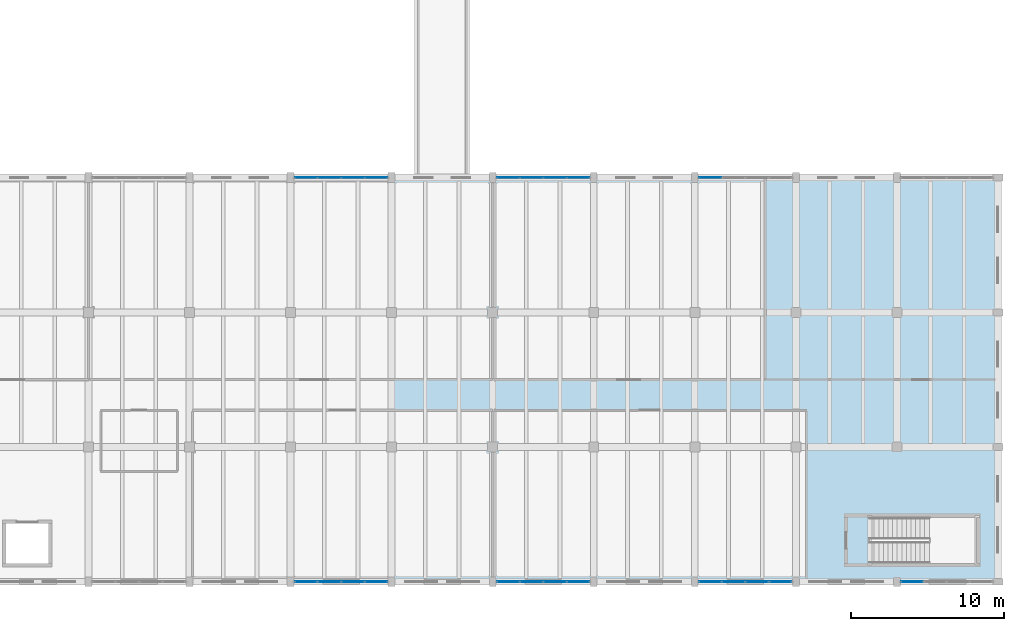
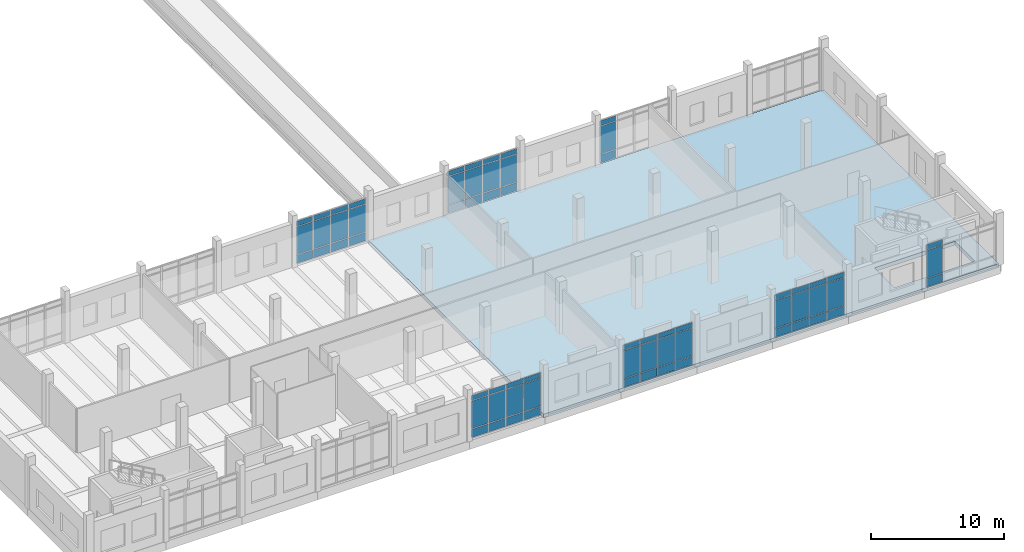
# One storey, part 55 of 101: 66 plates, 1 slab, 7 elements without a shape of their own.
"""IFC4 building model written with IfcOpenShell, lengths in metres."""

from ifc_helpers import new_model, si_unit, direction, frame, origin, origin_2d, place, context, subcontext, project, spatial, polyline, rectangle, outline, extrude, material, layer, layer_set, type_object, element, aggregate, save


model = new_model("IFC4")

# Units and contexts
model_context = context("Model", 3, precision=1e-05, world=origin(), true_north=direction((0.0, 1.0)))
body_context = subcontext(model_context, "Body", "Model", "MODEL_VIEW")
ifc_project = project(units=[si_unit("LENGTHUNIT", "METRE"), si_unit("AREAUNIT", "SQUARE_METRE"), si_unit("VOLUMEUNIT", "CUBIC_METRE"), si_unit("PLANEANGLEUNIT", "RADIAN"), si_unit("MASSUNIT", "GRAM", prefix="KILO")], contexts=[model_context])

# Site, building, storey
site_placement = place(None, origin())
site = spatial("IfcSite", under=ifc_project, at=site_placement, CompositionType="ELEMENT")
building_placement = place(site_placement, origin())
building = spatial("IfcBuilding", under=site, at=building_placement, Name="Dornvale Research Institute", CompositionType="ELEMENT")
storey_placement = place(building_placement, frame((0.0, 0.0, 10.199951171875)))
storey = spatial("IfcBuildingStorey", under=building, at=storey_placement, Name="L02", CompositionType="ELEMENT", Elevation=10.199951171875)

# Curtain wall, plates
ifc_material_1 = material(Name="Low-E Argon Double Insulating Glazing Unit", Category="glass")
curtain_wall_type_1 = type_object("IfcCurtainWallType", Name="UnitisedCurtainWall_V3_6150x4000", PredefinedType="USERDEFINED", material=ifc_material_1)
curtain_wall_1_placement = place(storey_placement, origin())
curtain_wall_1 = element("IfcCurtainWall", 1, at=curtain_wall_1_placement, inside=storey, type_object=curtain_wall_type_1, Name="L02 V3 unitised curtain wall CW-06 #44", ObjectType="UNITISED CURTAIN WALL", PredefinedType="USERDEFINED")
ifc_material_2 = material(Name="Insulated Ceramic-Frit Spandrel Glass Panel", Category="glass")
ifc_layer_1 = layer(ifc_material_2, 0.0419921875)
ifc_layer_set_1 = layer_set([ifc_layer_1], Name="Insulated Ceramic-Frit Spandrel Glass Panel")
plate_type_1 = type_object("IfcPlateType", Name="CurtainPanel_Spandrel_42", PredefinedType="CURTAIN_PANEL", material=ifc_layer_set_1)
plate_1_placement = place(storey_placement, frame((133.010009765625, 26.39990234375, 0.065185546875), z_axis=(0.0, 0.0, 1.0), x_axis=(1.0, 0.0, 0.0)))
plate_1 = element("IfcPlate", 2, at=plate_1_placement, type_object=plate_type_1, Name="CW-06 panel 1.1", PredefinedType="CURTAIN_PANEL", context=body_context, shape_type="SweptSolid", body=[
    extrude(rectangle(XDim=1.43994140625, YDim=0.0419921875, at=origin_2d()), origin(), (0.0, 0.0, 1.0), 0.75244140625),
])
plate_2_placement = place(storey_placement, frame((134.53125, 26.39990234375, 0.065185546875), z_axis=(0.0, 0.0, 1.0), x_axis=(1.0, 0.0, 0.0)))
plate_2 = element("IfcPlate", 3, at=plate_2_placement, type_object=plate_type_1, Name="CW-06 panel 2.1", PredefinedType="CURTAIN_PANEL", context=body_context, shape_type="SweptSolid", body=[
    extrude(rectangle(XDim=1.472412109375, YDim=0.0419921875, at=origin_2d()), origin(), (0.0, 0.0, 1.0), 0.75244140625),
])
plate_3_placement = place(storey_placement, frame((136.06884765625, 26.39990234375, 0.065185546875), z_axis=(0.0, 0.0, 1.0), x_axis=(1.0, 0.0, 0.0)))
plate_3 = element("IfcPlate", 4, at=plate_3_placement, type_object=plate_type_1, Name="CW-06 panel 3.1", PredefinedType="CURTAIN_PANEL", context=body_context, shape_type="SweptSolid", body=[
    extrude(rectangle(XDim=1.472412109375, YDim=0.0419921875, at=origin_2d()), origin(), (0.0, 0.0, 1.0), 0.75244140625),
])
plate_4_placement = place(storey_placement, frame((137.590087890625, 26.39990234375, 0.065185546875), z_axis=(0.0, 0.0, 1.0), x_axis=(1.0, 0.0, 0.0)))
plate_4 = element("IfcPlate", 5, at=plate_4_placement, type_object=plate_type_1, Name="CW-06 panel 4.1", PredefinedType="CURTAIN_PANEL", context=body_context, shape_type="SweptSolid", body=[
    extrude(rectangle(XDim=1.43994140625, YDim=0.0419921875, at=origin_2d()), origin(), (0.0, 0.0, 1.0), 0.75244140625),
])

curtain_wall_2_placement = place(storey_placement, origin())
curtain_wall_2 = element("IfcCurtainWall", 6, at=curtain_wall_2_placement, inside=storey, type_object=curtain_wall_type_1, Name="L02 V3 unitised curtain wall CW-06 #45", ObjectType="UNITISED CURTAIN WALL", PredefinedType="USERDEFINED")
plate_5_placement = place(storey_placement, frame((146.2099609375, 26.39990234375, 0.065185546875), z_axis=(0.0, 0.0, 1.0), x_axis=(1.0, 0.0, 0.0)))
plate_5 = element("IfcPlate", 7, at=plate_5_placement, type_object=plate_type_1, Name="CW-06 panel 1.1", PredefinedType="CURTAIN_PANEL", context=body_context, shape_type="SweptSolid", body=[
    extrude(rectangle(XDim=1.43994140625, YDim=0.0419921875, at=origin_2d()), origin(), (0.0, 0.0, 1.0), 0.75244140625),
])
plate_6_placement = place(storey_placement, frame((147.731201171875, 26.39990234375, 0.065185546875), z_axis=(0.0, 0.0, 1.0), x_axis=(1.0, 0.0, 0.0)))
plate_6 = element("IfcPlate", 8, at=plate_6_placement, type_object=plate_type_1, Name="CW-06 panel 2.1", PredefinedType="CURTAIN_PANEL", context=body_context, shape_type="SweptSolid", body=[
    extrude(rectangle(XDim=1.472412109375, YDim=0.0419921875, at=origin_2d()), origin(), (0.0, 0.0, 1.0), 0.75244140625),
])
plate_7_placement = place(storey_placement, frame((149.268798828125, 26.39990234375, 0.065185546875), z_axis=(0.0, 0.0, 1.0), x_axis=(1.0, 0.0, 0.0)))
plate_7 = element("IfcPlate", 9, at=plate_7_placement, type_object=plate_type_1, Name="CW-06 panel 3.1", PredefinedType="CURTAIN_PANEL", context=body_context, shape_type="SweptSolid", body=[
    extrude(rectangle(XDim=1.472412109375, YDim=0.0419921875, at=origin_2d()), origin(), (0.0, 0.0, 1.0), 0.75244140625),
])
plate_8_placement = place(storey_placement, frame((150.7900390625, 26.39990234375, 0.065185546875), z_axis=(0.0, 0.0, 1.0), x_axis=(1.0, 0.0, 0.0)))
plate_8 = element("IfcPlate", 10, at=plate_8_placement, type_object=plate_type_1, Name="CW-06 panel 4.1", PredefinedType="CURTAIN_PANEL", context=body_context, shape_type="SweptSolid", body=[
    extrude(rectangle(XDim=1.43994140625, YDim=0.0419921875, at=origin_2d()), origin(), (0.0, 0.0, 1.0), 0.75244140625),
])

# Curtain wall, plate
curtain_wall_3_placement = place(storey_placement, origin())
curtain_wall_3 = element("IfcCurtainWall", 11, at=curtain_wall_3_placement, inside=storey, type_object=curtain_wall_type_1, Name="L02 V3 unitised curtain wall CW-06 #46", ObjectType="UNITISED CURTAIN WALL", PredefinedType="USERDEFINED")
plate_9_placement = place(storey_placement, frame((159.409912109375, 26.39990234375, 0.065185546875), z_axis=(0.0, 0.0, 1.0), x_axis=(1.0, 0.0, 0.0)))
plate_9 = element("IfcPlate", 12, at=plate_9_placement, type_object=plate_type_1, Name="CW-06 panel 1.1", PredefinedType="CURTAIN_PANEL", context=body_context, shape_type="SweptSolid", body=[
    extrude(rectangle(XDim=1.43994140625, YDim=0.0419921875, at=origin_2d()), origin(), (0.0, 0.0, 1.0), 0.75244140625),
])

ifc_material_3 = material(Name="Low-E Argon Double Insulating Glazing Unit", Category="glass")
curtain_wall_type_2 = type_object("IfcCurtainWallType", Name="UnitisedCurtainWall_V3_6050x4000", PredefinedType="USERDEFINED", material=ifc_material_3)
curtain_wall_4_placement = place(storey_placement, origin())
curtain_wall_4 = element("IfcCurtainWall", 13, at=curtain_wall_4_placement, inside=storey, type_object=curtain_wall_type_2, Name="L02 V3 unitised curtain wall CW-07 #48", ObjectType="UNITISED CURTAIN WALL", PredefinedType="USERDEFINED")
plate_10_placement = place(storey_placement, frame((172.597412109375, 0.0, 0.065185546875), z_axis=(0.0, 0.0, 1.0), x_axis=(-1.0, 0.0, 0.0)))
plate_10 = element("IfcPlate", 14, at=plate_10_placement, type_object=plate_type_1, Name="CW-07 panel 4.1", PredefinedType="CURTAIN_PANEL", context=body_context, shape_type="SweptSolid", body=[
    extrude(rectangle(XDim=1.4150390625, YDim=0.0419921875, at=origin_2d()), origin(), (0.0, 0.0, 1.0), 0.75244140625),
])

# Curtain wall, plates
curtain_wall_5_placement = place(storey_placement, origin())
curtain_wall_5 = element("IfcCurtainWall", 15, at=curtain_wall_5_placement, inside=storey, type_object=curtain_wall_type_1, Name="L02 V3 unitised curtain wall CW-06 #49", ObjectType="UNITISED CURTAIN WALL", PredefinedType="USERDEFINED")
plate_11_placement = place(storey_placement, frame((163.989990234375, 0.0, 0.065185546875), z_axis=(0.0, 0.0, 1.0), x_axis=(-1.0, 0.0, 0.0)))
plate_11 = element("IfcPlate", 16, at=plate_11_placement, type_object=plate_type_1, Name="CW-06 panel 1.1", PredefinedType="CURTAIN_PANEL", context=body_context, shape_type="SweptSolid", body=[
    extrude(rectangle(XDim=1.43994140625, YDim=0.0419921875, at=origin_2d()), origin(), (0.0, 0.0, 1.0), 0.75244140625),
])
plate_12_placement = place(storey_placement, frame((162.46875, 0.0, 0.065185546875), z_axis=(0.0, 0.0, 1.0), x_axis=(-1.0, 0.0, 0.0)))
plate_12 = element("IfcPlate", 17, at=plate_12_placement, type_object=plate_type_1, Name="CW-06 panel 2.1", PredefinedType="CURTAIN_PANEL", context=body_context, shape_type="SweptSolid", body=[
    extrude(rectangle(XDim=1.472412109375, YDim=0.0419921875, at=origin_2d()), origin(), (0.0, 0.0, 1.0), 0.75244140625),
])
plate_13_placement = place(storey_placement, frame((160.93115234375, 0.0, 0.065185546875), z_axis=(0.0, 0.0, 1.0), x_axis=(-1.0, 0.0, 0.0)))
plate_13 = element("IfcPlate", 18, at=plate_13_placement, type_object=plate_type_1, Name="CW-06 panel 3.1", PredefinedType="CURTAIN_PANEL", context=body_context, shape_type="SweptSolid", body=[
    extrude(rectangle(XDim=1.472412109375, YDim=0.0419921875, at=origin_2d()), origin(), (0.0, 0.0, 1.0), 0.75244140625),
])
plate_14_placement = place(storey_placement, frame((159.409912109375, 0.0, 0.065185546875), z_axis=(0.0, 0.0, 1.0), x_axis=(-1.0, 0.0, 0.0)))
plate_14 = element("IfcPlate", 19, at=plate_14_placement, type_object=plate_type_1, Name="CW-06 panel 4.1", PredefinedType="CURTAIN_PANEL", context=body_context, shape_type="SweptSolid", body=[
    extrude(rectangle(XDim=1.43994140625, YDim=0.0419921875, at=origin_2d()), origin(), (0.0, 0.0, 1.0), 0.75244140625),
])

curtain_wall_6_placement = place(storey_placement, origin())
curtain_wall_6 = element("IfcCurtainWall", 20, at=curtain_wall_6_placement, inside=storey, type_object=curtain_wall_type_1, Name="L02 V3 unitised curtain wall CW-06 #50", ObjectType="UNITISED CURTAIN WALL", PredefinedType="USERDEFINED")
plate_15_placement = place(storey_placement, frame((150.7900390625, 0.0, 0.065185546875), z_axis=(0.0, 0.0, 1.0), x_axis=(-1.0, 0.0, 0.0)))
plate_15 = element("IfcPlate", 21, at=plate_15_placement, type_object=plate_type_1, Name="CW-06 panel 1.1", PredefinedType="CURTAIN_PANEL", context=body_context, shape_type="SweptSolid", body=[
    extrude(rectangle(XDim=1.43994140625, YDim=0.0419921875, at=origin_2d()), origin(), (0.0, 0.0, 1.0), 0.75244140625),
])
plate_16_placement = place(storey_placement, frame((149.268798828125, 0.0, 0.065185546875), z_axis=(0.0, 0.0, 1.0), x_axis=(-1.0, 0.0, 0.0)))
plate_16 = element("IfcPlate", 22, at=plate_16_placement, type_object=plate_type_1, Name="CW-06 panel 2.1", PredefinedType="CURTAIN_PANEL", context=body_context, shape_type="SweptSolid", body=[
    extrude(rectangle(XDim=1.472412109375, YDim=0.0419921875, at=origin_2d()), origin(), (0.0, 0.0, 1.0), 0.75244140625),
])
plate_17_placement = place(storey_placement, frame((147.731201171875, 0.0, 0.065185546875), z_axis=(0.0, 0.0, 1.0), x_axis=(-1.0, 0.0, 0.0)))
plate_17 = element("IfcPlate", 23, at=plate_17_placement, type_object=plate_type_1, Name="CW-06 panel 3.1", PredefinedType="CURTAIN_PANEL", context=body_context, shape_type="SweptSolid", body=[
    extrude(rectangle(XDim=1.472412109375, YDim=0.0419921875, at=origin_2d()), origin(), (0.0, 0.0, 1.0), 0.75244140625),
])
plate_18_placement = place(storey_placement, frame((146.2099609375, 0.0, 0.065185546875), z_axis=(0.0, 0.0, 1.0), x_axis=(-1.0, 0.0, 0.0)))
plate_18 = element("IfcPlate", 24, at=plate_18_placement, type_object=plate_type_1, Name="CW-06 panel 4.1", PredefinedType="CURTAIN_PANEL", context=body_context, shape_type="SweptSolid", body=[
    extrude(rectangle(XDim=1.43994140625, YDim=0.0419921875, at=origin_2d()), origin(), (0.0, 0.0, 1.0), 0.75244140625),
])

curtain_wall_7_placement = place(storey_placement, origin())
curtain_wall_7 = element("IfcCurtainWall", 25, at=curtain_wall_7_placement, inside=storey, type_object=curtain_wall_type_1, Name="L02 V3 unitised curtain wall CW-06 #51", ObjectType="UNITISED CURTAIN WALL", PredefinedType="USERDEFINED")
plate_19_placement = place(storey_placement, frame((137.590087890625, 0.0, 0.065185546875), z_axis=(0.0, 0.0, 1.0), x_axis=(-1.0, 0.0, 0.0)))
plate_19 = element("IfcPlate", 26, at=plate_19_placement, type_object=plate_type_1, Name="CW-06 panel 1.1", PredefinedType="CURTAIN_PANEL", context=body_context, shape_type="SweptSolid", body=[
    extrude(rectangle(XDim=1.43994140625, YDim=0.0419921875, at=origin_2d()), origin(), (0.0, 0.0, 1.0), 0.75244140625),
])
plate_20_placement = place(storey_placement, frame((136.06884765625, 0.0, 0.065185546875), z_axis=(0.0, 0.0, 1.0), x_axis=(-1.0, 0.0, 0.0)))
plate_20 = element("IfcPlate", 27, at=plate_20_placement, type_object=plate_type_1, Name="CW-06 panel 2.1", PredefinedType="CURTAIN_PANEL", context=body_context, shape_type="SweptSolid", body=[
    extrude(rectangle(XDim=1.472412109375, YDim=0.0419921875, at=origin_2d()), origin(), (0.0, 0.0, 1.0), 0.75244140625),
])
plate_21_placement = place(storey_placement, frame((134.53125, 0.0, 0.065185546875), z_axis=(0.0, 0.0, 1.0), x_axis=(-1.0, 0.0, 0.0)))
plate_21 = element("IfcPlate", 28, at=plate_21_placement, type_object=plate_type_1, Name="CW-06 panel 3.1", PredefinedType="CURTAIN_PANEL", context=body_context, shape_type="SweptSolid", body=[
    extrude(rectangle(XDim=1.472412109375, YDim=0.0419921875, at=origin_2d()), origin(), (0.0, 0.0, 1.0), 0.75244140625),
])
plate_22_placement = place(storey_placement, frame((133.010009765625, 0.0, 0.065185546875), z_axis=(0.0, 0.0, 1.0), x_axis=(-1.0, 0.0, 0.0)))
plate_22 = element("IfcPlate", 29, at=plate_22_placement, type_object=plate_type_1, Name="CW-06 panel 4.1", PredefinedType="CURTAIN_PANEL", context=body_context, shape_type="SweptSolid", body=[
    extrude(rectangle(XDim=1.43994140625, YDim=0.0419921875, at=origin_2d()), origin(), (0.0, 0.0, 1.0), 0.75244140625),
])

# Plate
ifc_material_4 = material(Name="Low-E Argon Double Insulating Glazing Unit", Category="glass")
ifc_layer_2 = layer(ifc_material_4, 0.028076171875)
ifc_layer_set_2 = layer_set([ifc_layer_2], Name="Low-E Argon Double Insulating Glazing Unit")
plate_type_2 = type_object("IfcPlateType", Name="CurtainPanel_Vision_28", PredefinedType="CURTAIN_PANEL", material=ifc_layer_set_2)
plate_23_placement = place(storey_placement, frame((133.010009765625, 26.39990234375, 0.8828125), z_axis=(0.0, 0.0, 1.0), x_axis=(1.0, 0.0, 0.0)))
plate_23 = element("IfcPlate", 30, at=plate_23_placement, type_object=plate_type_2, Name="CW-06 panel 1.2", PredefinedType="CURTAIN_PANEL", context=body_context, shape_type="SweptSolid", body=[
    extrude(rectangle(XDim=1.43994140625, YDim=0.028076171875, at=origin_2d()), origin(), (0.0, 0.0, 1.0), 2.534912109375),
])

plate_24_placement = place(storey_placement, frame((133.010009765625, 26.39990234375, 3.482421875), z_axis=(0.0, 0.0, 1.0), x_axis=(1.0, 0.0, 0.0)))
plate_24 = element("IfcPlate", 31, at=plate_24_placement, type_object=plate_type_2, Name="CW-06 panel 1.3", PredefinedType="CURTAIN_PANEL", context=body_context, shape_type="SweptSolid", body=[
    extrude(rectangle(XDim=1.43994140625, YDim=0.028076171875, at=origin_2d()), origin(), (0.0, 0.0, 1.0), 0.452392578125),
])

plate_25_placement = place(storey_placement, frame((134.53125, 26.39990234375, 0.8828125), z_axis=(0.0, 0.0, 1.0), x_axis=(1.0, 0.0, 0.0)))
plate_25 = element("IfcPlate", 32, at=plate_25_placement, type_object=plate_type_2, Name="CW-06 panel 2.2", PredefinedType="CURTAIN_PANEL", context=body_context, shape_type="SweptSolid", body=[
    extrude(rectangle(XDim=1.472412109375, YDim=0.028076171875, at=origin_2d()), origin(), (0.0, 0.0, 1.0), 2.534912109375),
])

plate_26_placement = place(storey_placement, frame((134.53125, 26.39990234375, 3.482421875), z_axis=(0.0, 0.0, 1.0), x_axis=(1.0, 0.0, 0.0)))
plate_26 = element("IfcPlate", 33, at=plate_26_placement, type_object=plate_type_2, Name="CW-06 panel 2.3", PredefinedType="CURTAIN_PANEL", context=body_context, shape_type="SweptSolid", body=[
    extrude(rectangle(XDim=1.472412109375, YDim=0.028076171875, at=origin_2d()), origin(), (0.0, 0.0, 1.0), 0.452392578125),
])

plate_27_placement = place(storey_placement, frame((136.06884765625, 26.39990234375, 0.8828125), z_axis=(0.0, 0.0, 1.0), x_axis=(1.0, 0.0, 0.0)))
plate_27 = element("IfcPlate", 34, at=plate_27_placement, type_object=plate_type_2, Name="CW-06 panel 3.2", PredefinedType="CURTAIN_PANEL", context=body_context, shape_type="SweptSolid", body=[
    extrude(rectangle(XDim=1.472412109375, YDim=0.028076171875, at=origin_2d()), origin(), (0.0, 0.0, 1.0), 2.534912109375),
])

plate_28_placement = place(storey_placement, frame((136.06884765625, 26.39990234375, 3.482421875), z_axis=(0.0, 0.0, 1.0), x_axis=(1.0, 0.0, 0.0)))
plate_28 = element("IfcPlate", 35, at=plate_28_placement, type_object=plate_type_2, Name="CW-06 panel 3.3", PredefinedType="CURTAIN_PANEL", context=body_context, shape_type="SweptSolid", body=[
    extrude(rectangle(XDim=1.472412109375, YDim=0.028076171875, at=origin_2d()), origin(), (0.0, 0.0, 1.0), 0.452392578125),
])

plate_29_placement = place(storey_placement, frame((137.590087890625, 26.39990234375, 0.8828125), z_axis=(0.0, 0.0, 1.0), x_axis=(1.0, 0.0, 0.0)))
plate_29 = element("IfcPlate", 36, at=plate_29_placement, type_object=plate_type_2, Name="CW-06 panel 4.2", PredefinedType="CURTAIN_PANEL", context=body_context, shape_type="SweptSolid", body=[
    extrude(rectangle(XDim=1.43994140625, YDim=0.028076171875, at=origin_2d()), origin(), (0.0, 0.0, 1.0), 2.534912109375),
])

plate_30_placement = place(storey_placement, frame((137.590087890625, 26.39990234375, 3.482421875), z_axis=(0.0, 0.0, 1.0), x_axis=(1.0, 0.0, 0.0)))
plate_30 = element("IfcPlate", 37, at=plate_30_placement, type_object=plate_type_2, Name="CW-06 panel 4.3", PredefinedType="CURTAIN_PANEL", context=body_context, shape_type="SweptSolid", body=[
    extrude(rectangle(XDim=1.43994140625, YDim=0.028076171875, at=origin_2d()), origin(), (0.0, 0.0, 1.0), 0.452392578125),
])

aggregate(curtain_wall_1, [plate_1, plate_23, plate_24, plate_2, plate_25, plate_26, plate_3, plate_27, plate_28, plate_4, plate_29, plate_30])

plate_31_placement = place(storey_placement, frame((146.2099609375, 26.39990234375, 0.8828125), z_axis=(0.0, 0.0, 1.0), x_axis=(1.0, 0.0, 0.0)))
plate_31 = element("IfcPlate", 38, at=plate_31_placement, type_object=plate_type_2, Name="CW-06 panel 1.2", PredefinedType="CURTAIN_PANEL", context=body_context, shape_type="SweptSolid", body=[
    extrude(rectangle(XDim=1.43994140625, YDim=0.028076171875, at=origin_2d()), origin(), (0.0, 0.0, 1.0), 2.534912109375),
])

plate_32_placement = place(storey_placement, frame((146.2099609375, 26.39990234375, 3.482421875), z_axis=(0.0, 0.0, 1.0), x_axis=(1.0, 0.0, 0.0)))
plate_32 = element("IfcPlate", 39, at=plate_32_placement, type_object=plate_type_2, Name="CW-06 panel 1.3", PredefinedType="CURTAIN_PANEL", context=body_context, shape_type="SweptSolid", body=[
    extrude(rectangle(XDim=1.43994140625, YDim=0.028076171875, at=origin_2d()), origin(), (0.0, 0.0, 1.0), 0.452392578125),
])

plate_33_placement = place(storey_placement, frame((147.731201171875, 26.39990234375, 0.8828125), z_axis=(0.0, 0.0, 1.0), x_axis=(1.0, 0.0, 0.0)))
plate_33 = element("IfcPlate", 40, at=plate_33_placement, type_object=plate_type_2, Name="CW-06 panel 2.2", PredefinedType="CURTAIN_PANEL", context=body_context, shape_type="SweptSolid", body=[
    extrude(rectangle(XDim=1.472412109375, YDim=0.028076171875, at=origin_2d()), origin(), (0.0, 0.0, 1.0), 2.534912109375),
])

plate_34_placement = place(storey_placement, frame((147.731201171875, 26.39990234375, 3.482421875), z_axis=(0.0, 0.0, 1.0), x_axis=(1.0, 0.0, 0.0)))
plate_34 = element("IfcPlate", 41, at=plate_34_placement, type_object=plate_type_2, Name="CW-06 panel 2.3", PredefinedType="CURTAIN_PANEL", context=body_context, shape_type="SweptSolid", body=[
    extrude(rectangle(XDim=1.472412109375, YDim=0.028076171875, at=origin_2d()), origin(), (0.0, 0.0, 1.0), 0.452392578125),
])

plate_35_placement = place(storey_placement, frame((149.268798828125, 26.39990234375, 0.8828125), z_axis=(0.0, 0.0, 1.0), x_axis=(1.0, 0.0, 0.0)))
plate_35 = element("IfcPlate", 42, at=plate_35_placement, type_object=plate_type_2, Name="CW-06 panel 3.2", PredefinedType="CURTAIN_PANEL", context=body_context, shape_type="SweptSolid", body=[
    extrude(rectangle(XDim=1.472412109375, YDim=0.028076171875, at=origin_2d()), origin(), (0.0, 0.0, 1.0), 2.534912109375),
])

plate_36_placement = place(storey_placement, frame((149.268798828125, 26.39990234375, 3.482421875), z_axis=(0.0, 0.0, 1.0), x_axis=(1.0, 0.0, 0.0)))
plate_36 = element("IfcPlate", 43, at=plate_36_placement, type_object=plate_type_2, Name="CW-06 panel 3.3", PredefinedType="CURTAIN_PANEL", context=body_context, shape_type="SweptSolid", body=[
    extrude(rectangle(XDim=1.472412109375, YDim=0.028076171875, at=origin_2d()), origin(), (0.0, 0.0, 1.0), 0.452392578125),
])

plate_37_placement = place(storey_placement, frame((150.7900390625, 26.39990234375, 0.8828125), z_axis=(0.0, 0.0, 1.0), x_axis=(1.0, 0.0, 0.0)))
plate_37 = element("IfcPlate", 44, at=plate_37_placement, type_object=plate_type_2, Name="CW-06 panel 4.2", PredefinedType="CURTAIN_PANEL", context=body_context, shape_type="SweptSolid", body=[
    extrude(rectangle(XDim=1.43994140625, YDim=0.028076171875, at=origin_2d()), origin(), (0.0, 0.0, 1.0), 2.534912109375),
])

plate_38_placement = place(storey_placement, frame((150.7900390625, 26.39990234375, 3.482421875), z_axis=(0.0, 0.0, 1.0), x_axis=(1.0, 0.0, 0.0)))
plate_38 = element("IfcPlate", 45, at=plate_38_placement, type_object=plate_type_2, Name="CW-06 panel 4.3", PredefinedType="CURTAIN_PANEL", context=body_context, shape_type="SweptSolid", body=[
    extrude(rectangle(XDim=1.43994140625, YDim=0.028076171875, at=origin_2d()), origin(), (0.0, 0.0, 1.0), 0.452392578125),
])

aggregate(curtain_wall_2, [plate_5, plate_31, plate_32, plate_6, plate_33, plate_34, plate_7, plate_35, plate_36, plate_8, plate_37, plate_38])

plate_39_placement = place(storey_placement, frame((159.409912109375, 26.39990234375, 0.8828125), z_axis=(0.0, 0.0, 1.0), x_axis=(1.0, 0.0, 0.0)))
plate_39 = element("IfcPlate", 46, at=plate_39_placement, type_object=plate_type_2, Name="CW-06 panel 1.2", PredefinedType="CURTAIN_PANEL", context=body_context, shape_type="SweptSolid", body=[
    extrude(rectangle(XDim=1.43994140625, YDim=0.028076171875, at=origin_2d()), origin(), (0.0, 0.0, 1.0), 2.534912109375),
])

plate_40_placement = place(storey_placement, frame((159.409912109375, 26.39990234375, 3.482421875), z_axis=(0.0, 0.0, 1.0), x_axis=(1.0, 0.0, 0.0)))
plate_40 = element("IfcPlate", 47, at=plate_40_placement, type_object=plate_type_2, Name="CW-06 panel 1.3", PredefinedType="CURTAIN_PANEL", context=body_context, shape_type="SweptSolid", body=[
    extrude(rectangle(XDim=1.43994140625, YDim=0.028076171875, at=origin_2d()), origin(), (0.0, 0.0, 1.0), 0.452392578125),
])

aggregate(curtain_wall_3, [plate_9, plate_39, plate_40])

plate_41_placement = place(storey_placement, frame((172.597412109375, 0.0, 0.8828125), z_axis=(0.0, 0.0, 1.0), x_axis=(-1.0, 0.0, 0.0)))
plate_41 = element("IfcPlate", 48, at=plate_41_placement, type_object=plate_type_2, Name="CW-07 panel 4.2", PredefinedType="CURTAIN_PANEL", context=body_context, shape_type="SweptSolid", body=[
    extrude(rectangle(XDim=1.4150390625, YDim=0.028076171875, at=origin_2d()), origin(), (0.0, 0.0, 1.0), 2.534912109375),
])

plate_42_placement = place(storey_placement, frame((172.597412109375, 0.0, 3.482421875), z_axis=(0.0, 0.0, 1.0), x_axis=(-1.0, 0.0, 0.0)))
plate_42 = element("IfcPlate", 49, at=plate_42_placement, type_object=plate_type_2, Name="CW-07 panel 4.3", PredefinedType="CURTAIN_PANEL", context=body_context, shape_type="SweptSolid", body=[
    extrude(rectangle(XDim=1.4150390625, YDim=0.028076171875, at=origin_2d()), origin(), (0.0, 0.0, 1.0), 0.452392578125),
])

aggregate(curtain_wall_4, [plate_10, plate_41, plate_42])

plate_43_placement = place(storey_placement, frame((163.989990234375, 0.0, 0.8828125), z_axis=(0.0, 0.0, 1.0), x_axis=(-1.0, 0.0, 0.0)))
plate_43 = element("IfcPlate", 50, at=plate_43_placement, type_object=plate_type_2, Name="CW-06 panel 1.2", PredefinedType="CURTAIN_PANEL", context=body_context, shape_type="SweptSolid", body=[
    extrude(rectangle(XDim=1.43994140625, YDim=0.028076171875, at=origin_2d()), origin(), (0.0, 0.0, 1.0), 2.534912109375),
])

plate_44_placement = place(storey_placement, frame((163.989990234375, 0.0, 3.482421875), z_axis=(0.0, 0.0, 1.0), x_axis=(-1.0, 0.0, 0.0)))
plate_44 = element("IfcPlate", 51, at=plate_44_placement, type_object=plate_type_2, Name="CW-06 panel 1.3", PredefinedType="CURTAIN_PANEL", context=body_context, shape_type="SweptSolid", body=[
    extrude(rectangle(XDim=1.43994140625, YDim=0.028076171875, at=origin_2d()), origin(), (0.0, 0.0, 1.0), 0.452392578125),
])

plate_45_placement = place(storey_placement, frame((162.46875, 0.0, 0.8828125), z_axis=(0.0, 0.0, 1.0), x_axis=(-1.0, 0.0, 0.0)))
plate_45 = element("IfcPlate", 52, at=plate_45_placement, type_object=plate_type_2, Name="CW-06 panel 2.2", PredefinedType="CURTAIN_PANEL", context=body_context, shape_type="SweptSolid", body=[
    extrude(rectangle(XDim=1.472412109375, YDim=0.028076171875, at=origin_2d()), origin(), (0.0, 0.0, 1.0), 2.534912109375),
])

plate_46_placement = place(storey_placement, frame((162.46875, 0.0, 3.482421875), z_axis=(0.0, 0.0, 1.0), x_axis=(-1.0, 0.0, 0.0)))
plate_46 = element("IfcPlate", 53, at=plate_46_placement, type_object=plate_type_2, Name="CW-06 panel 2.3", PredefinedType="CURTAIN_PANEL", context=body_context, shape_type="SweptSolid", body=[
    extrude(rectangle(XDim=1.472412109375, YDim=0.028076171875, at=origin_2d()), origin(), (0.0, 0.0, 1.0), 0.452392578125),
])

plate_47_placement = place(storey_placement, frame((160.93115234375, 0.0, 0.8828125), z_axis=(0.0, 0.0, 1.0), x_axis=(-1.0, 0.0, 0.0)))
plate_47 = element("IfcPlate", 54, at=plate_47_placement, type_object=plate_type_2, Name="CW-06 panel 3.2", PredefinedType="CURTAIN_PANEL", context=body_context, shape_type="SweptSolid", body=[
    extrude(rectangle(XDim=1.472412109375, YDim=0.028076171875, at=origin_2d()), origin(), (0.0, 0.0, 1.0), 2.534912109375),
])

plate_48_placement = place(storey_placement, frame((160.93115234375, 0.0, 3.482421875), z_axis=(0.0, 0.0, 1.0), x_axis=(-1.0, 0.0, 0.0)))
plate_48 = element("IfcPlate", 55, at=plate_48_placement, type_object=plate_type_2, Name="CW-06 panel 3.3", PredefinedType="CURTAIN_PANEL", context=body_context, shape_type="SweptSolid", body=[
    extrude(rectangle(XDim=1.472412109375, YDim=0.028076171875, at=origin_2d()), origin(), (0.0, 0.0, 1.0), 0.452392578125),
])

plate_49_placement = place(storey_placement, frame((159.409912109375, 0.0, 0.8828125), z_axis=(0.0, 0.0, 1.0), x_axis=(-1.0, 0.0, 0.0)))
plate_49 = element("IfcPlate", 56, at=plate_49_placement, type_object=plate_type_2, Name="CW-06 panel 4.2", PredefinedType="CURTAIN_PANEL", context=body_context, shape_type="SweptSolid", body=[
    extrude(rectangle(XDim=1.43994140625, YDim=0.028076171875, at=origin_2d()), origin(), (0.0, 0.0, 1.0), 2.534912109375),
])

plate_50_placement = place(storey_placement, frame((159.409912109375, 0.0, 3.482421875), z_axis=(0.0, 0.0, 1.0), x_axis=(-1.0, 0.0, 0.0)))
plate_50 = element("IfcPlate", 57, at=plate_50_placement, type_object=plate_type_2, Name="CW-06 panel 4.3", PredefinedType="CURTAIN_PANEL", context=body_context, shape_type="SweptSolid", body=[
    extrude(rectangle(XDim=1.43994140625, YDim=0.028076171875, at=origin_2d()), origin(), (0.0, 0.0, 1.0), 0.452392578125),
])

aggregate(curtain_wall_5, [plate_11, plate_43, plate_44, plate_12, plate_45, plate_46, plate_13, plate_47, plate_48, plate_14, plate_49, plate_50])

plate_51_placement = place(storey_placement, frame((150.7900390625, 0.0, 0.8828125), z_axis=(0.0, 0.0, 1.0), x_axis=(-1.0, 0.0, 0.0)))
plate_51 = element("IfcPlate", 58, at=plate_51_placement, type_object=plate_type_2, Name="CW-06 panel 1.2", PredefinedType="CURTAIN_PANEL", context=body_context, shape_type="SweptSolid", body=[
    extrude(rectangle(XDim=1.43994140625, YDim=0.028076171875, at=origin_2d()), origin(), (0.0, 0.0, 1.0), 2.534912109375),
])

plate_52_placement = place(storey_placement, frame((150.7900390625, 0.0, 3.482421875), z_axis=(0.0, 0.0, 1.0), x_axis=(-1.0, 0.0, 0.0)))
plate_52 = element("IfcPlate", 59, at=plate_52_placement, type_object=plate_type_2, Name="CW-06 panel 1.3", PredefinedType="CURTAIN_PANEL", context=body_context, shape_type="SweptSolid", body=[
    extrude(rectangle(XDim=1.43994140625, YDim=0.028076171875, at=origin_2d()), origin(), (0.0, 0.0, 1.0), 0.452392578125),
])

plate_53_placement = place(storey_placement, frame((149.268798828125, 0.0, 0.8828125), z_axis=(0.0, 0.0, 1.0), x_axis=(-1.0, 0.0, 0.0)))
plate_53 = element("IfcPlate", 60, at=plate_53_placement, type_object=plate_type_2, Name="CW-06 panel 2.2", PredefinedType="CURTAIN_PANEL", context=body_context, shape_type="SweptSolid", body=[
    extrude(rectangle(XDim=1.472412109375, YDim=0.028076171875, at=origin_2d()), origin(), (0.0, 0.0, 1.0), 2.534912109375),
])

plate_54_placement = place(storey_placement, frame((149.268798828125, 0.0, 3.482421875), z_axis=(0.0, 0.0, 1.0), x_axis=(-1.0, 0.0, 0.0)))
plate_54 = element("IfcPlate", 61, at=plate_54_placement, type_object=plate_type_2, Name="CW-06 panel 2.3", PredefinedType="CURTAIN_PANEL", context=body_context, shape_type="SweptSolid", body=[
    extrude(rectangle(XDim=1.472412109375, YDim=0.028076171875, at=origin_2d()), origin(), (0.0, 0.0, 1.0), 0.452392578125),
])

plate_55_placement = place(storey_placement, frame((147.731201171875, 0.0, 0.8828125), z_axis=(0.0, 0.0, 1.0), x_axis=(-1.0, 0.0, 0.0)))
plate_55 = element("IfcPlate", 62, at=plate_55_placement, type_object=plate_type_2, Name="CW-06 panel 3.2", PredefinedType="CURTAIN_PANEL", context=body_context, shape_type="SweptSolid", body=[
    extrude(rectangle(XDim=1.472412109375, YDim=0.028076171875, at=origin_2d()), origin(), (0.0, 0.0, 1.0), 2.534912109375),
])

plate_56_placement = place(storey_placement, frame((147.731201171875, 0.0, 3.482421875), z_axis=(0.0, 0.0, 1.0), x_axis=(-1.0, 0.0, 0.0)))
plate_56 = element("IfcPlate", 63, at=plate_56_placement, type_object=plate_type_2, Name="CW-06 panel 3.3", PredefinedType="CURTAIN_PANEL", context=body_context, shape_type="SweptSolid", body=[
    extrude(rectangle(XDim=1.472412109375, YDim=0.028076171875, at=origin_2d()), origin(), (0.0, 0.0, 1.0), 0.452392578125),
])

plate_57_placement = place(storey_placement, frame((146.2099609375, 0.0, 0.8828125), z_axis=(0.0, 0.0, 1.0), x_axis=(-1.0, 0.0, 0.0)))
plate_57 = element("IfcPlate", 64, at=plate_57_placement, type_object=plate_type_2, Name="CW-06 panel 4.2", PredefinedType="CURTAIN_PANEL", context=body_context, shape_type="SweptSolid", body=[
    extrude(rectangle(XDim=1.43994140625, YDim=0.028076171875, at=origin_2d()), origin(), (0.0, 0.0, 1.0), 2.534912109375),
])

plate_58_placement = place(storey_placement, frame((146.2099609375, 0.0, 3.482421875), z_axis=(0.0, 0.0, 1.0), x_axis=(-1.0, 0.0, 0.0)))
plate_58 = element("IfcPlate", 65, at=plate_58_placement, type_object=plate_type_2, Name="CW-06 panel 4.3", PredefinedType="CURTAIN_PANEL", context=body_context, shape_type="SweptSolid", body=[
    extrude(rectangle(XDim=1.43994140625, YDim=0.028076171875, at=origin_2d()), origin(), (0.0, 0.0, 1.0), 0.452392578125),
])

aggregate(curtain_wall_6, [plate_15, plate_51, plate_52, plate_16, plate_53, plate_54, plate_17, plate_55, plate_56, plate_18, plate_57, plate_58])

plate_59_placement = place(storey_placement, frame((137.590087890625, 0.0, 0.8828125), z_axis=(0.0, 0.0, 1.0), x_axis=(-1.0, 0.0, 0.0)))
plate_59 = element("IfcPlate", 66, at=plate_59_placement, type_object=plate_type_2, Name="CW-06 panel 1.2", PredefinedType="CURTAIN_PANEL", context=body_context, shape_type="SweptSolid", body=[
    extrude(rectangle(XDim=1.43994140625, YDim=0.028076171875, at=origin_2d()), origin(), (0.0, 0.0, 1.0), 2.534912109375),
])

plate_60_placement = place(storey_placement, frame((137.590087890625, 0.0, 3.482421875), z_axis=(0.0, 0.0, 1.0), x_axis=(-1.0, 0.0, 0.0)))
plate_60 = element("IfcPlate", 67, at=plate_60_placement, type_object=plate_type_2, Name="CW-06 panel 1.3", PredefinedType="CURTAIN_PANEL", context=body_context, shape_type="SweptSolid", body=[
    extrude(rectangle(XDim=1.43994140625, YDim=0.028076171875, at=origin_2d()), origin(), (0.0, 0.0, 1.0), 0.452392578125),
])

plate_61_placement = place(storey_placement, frame((136.06884765625, 0.0, 0.8828125), z_axis=(0.0, 0.0, 1.0), x_axis=(-1.0, 0.0, 0.0)))
plate_61 = element("IfcPlate", 68, at=plate_61_placement, type_object=plate_type_2, Name="CW-06 panel 2.2", PredefinedType="CURTAIN_PANEL", context=body_context, shape_type="SweptSolid", body=[
    extrude(rectangle(XDim=1.472412109375, YDim=0.028076171875, at=origin_2d()), origin(), (0.0, 0.0, 1.0), 2.534912109375),
])

plate_62_placement = place(storey_placement, frame((136.06884765625, 0.0, 3.482421875), z_axis=(0.0, 0.0, 1.0), x_axis=(-1.0, 0.0, 0.0)))
plate_62 = element("IfcPlate", 69, at=plate_62_placement, type_object=plate_type_2, Name="CW-06 panel 2.3", PredefinedType="CURTAIN_PANEL", context=body_context, shape_type="SweptSolid", body=[
    extrude(rectangle(XDim=1.472412109375, YDim=0.028076171875, at=origin_2d()), origin(), (0.0, 0.0, 1.0), 0.452392578125),
])

plate_63_placement = place(storey_placement, frame((134.53125, 0.0, 0.8828125), z_axis=(0.0, 0.0, 1.0), x_axis=(-1.0, 0.0, 0.0)))
plate_63 = element("IfcPlate", 70, at=plate_63_placement, type_object=plate_type_2, Name="CW-06 panel 3.2", PredefinedType="CURTAIN_PANEL", context=body_context, shape_type="SweptSolid", body=[
    extrude(rectangle(XDim=1.472412109375, YDim=0.028076171875, at=origin_2d()), origin(), (0.0, 0.0, 1.0), 2.534912109375),
])

plate_64_placement = place(storey_placement, frame((134.53125, 0.0, 3.482421875), z_axis=(0.0, 0.0, 1.0), x_axis=(-1.0, 0.0, 0.0)))
plate_64 = element("IfcPlate", 71, at=plate_64_placement, type_object=plate_type_2, Name="CW-06 panel 3.3", PredefinedType="CURTAIN_PANEL", context=body_context, shape_type="SweptSolid", body=[
    extrude(rectangle(XDim=1.472412109375, YDim=0.028076171875, at=origin_2d()), origin(), (0.0, 0.0, 1.0), 0.452392578125),
])

plate_65_placement = place(storey_placement, frame((133.010009765625, 0.0, 0.8828125), z_axis=(0.0, 0.0, 1.0), x_axis=(-1.0, 0.0, 0.0)))
plate_65 = element("IfcPlate", 72, at=plate_65_placement, type_object=plate_type_2, Name="CW-06 panel 4.2", PredefinedType="CURTAIN_PANEL", context=body_context, shape_type="SweptSolid", body=[
    extrude(rectangle(XDim=1.43994140625, YDim=0.028076171875, at=origin_2d()), origin(), (0.0, 0.0, 1.0), 2.534912109375),
])

plate_66_placement = place(storey_placement, frame((133.010009765625, 0.0, 3.482421875), z_axis=(0.0, 0.0, 1.0), x_axis=(-1.0, 0.0, 0.0)))
plate_66 = element("IfcPlate", 73, at=plate_66_placement, type_object=plate_type_2, Name="CW-06 panel 4.3", PredefinedType="CURTAIN_PANEL", context=body_context, shape_type="SweptSolid", body=[
    extrude(rectangle(XDim=1.43994140625, YDim=0.028076171875, at=origin_2d()), origin(), (0.0, 0.0, 1.0), 0.452392578125),
])

aggregate(curtain_wall_7, [plate_19, plate_59, plate_60, plate_20, plate_61, plate_62, plate_21, plate_63, plate_64, plate_22, plate_65, plate_66])

# Slab
ifc_material_5 = material(Name="Concrete f'c 45 MPa (C35/45)", Category="concrete")
ifc_layer_3 = layer(ifc_material_5, 0.360107421875)
ifc_layer_set_3 = layer_set([ifc_layer_3], Name="Concrete f'c 45 MPa (C35/45)")
slab_type = type_object("IfcSlabType", Name="FloorSlab_Cleanroom_360", PredefinedType="FLOOR", material=ifc_layer_set_3)
slab_placement = place(storey_placement, frame((0.0, 0.0, -0.35986328125)))
element("IfcSlab", 74, at=slab_placement, inside=storey, type_object=slab_type, Name="L02 V3 E floor slab", PredefinedType="FLOOR", context=body_context, shape_type="SweptSolid", body=[
    extrude(outline(polyline([(178.199951171875, 26.39990234375), (178.199951171875, 0.0), (138.60009765625, 0.0), (138.60009765625, 26.39990234375), (178.199951171875, 26.39990234375)]), holes=[polyline([(169.820068359375, 1.199951171875), (176.800048828125, 1.199951171875), (176.800048828125, 4.199951171875), (169.820068359375, 4.199951171875), (169.820068359375, 1.199951171875)])]), origin(), (0.0, 0.0, 1.0), 0.35986328125),
])

save(model, "model.ifc")
